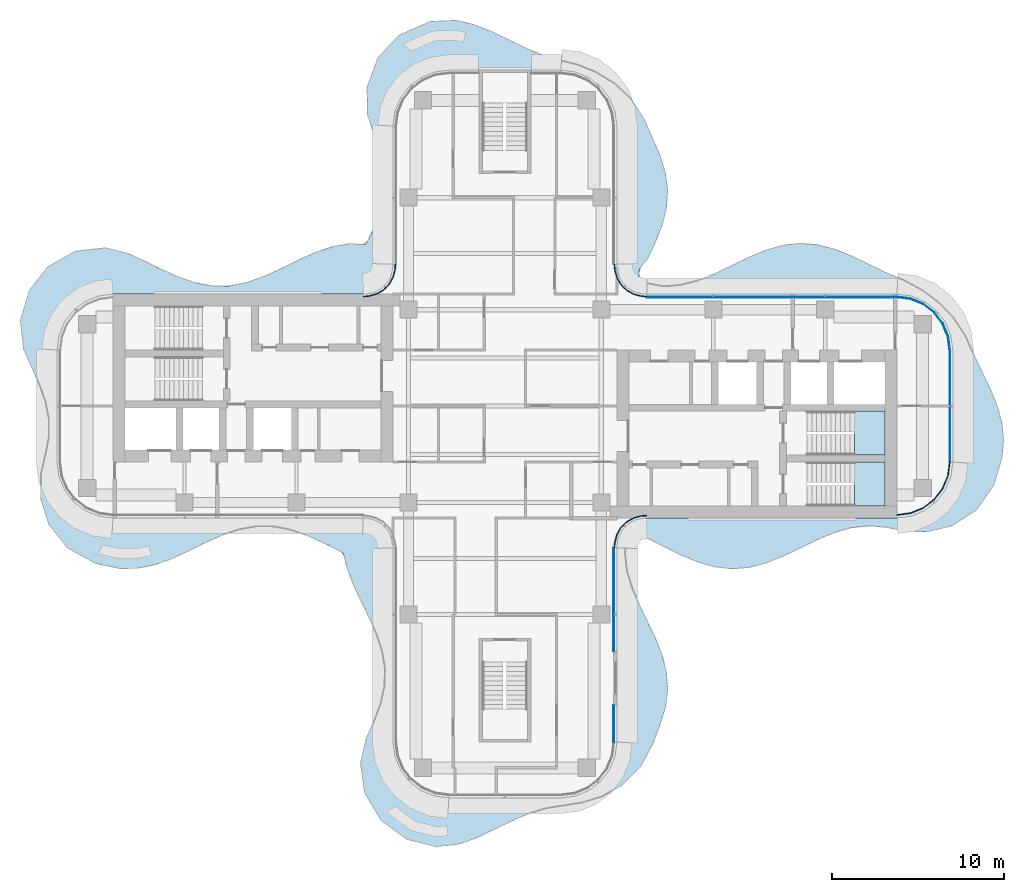
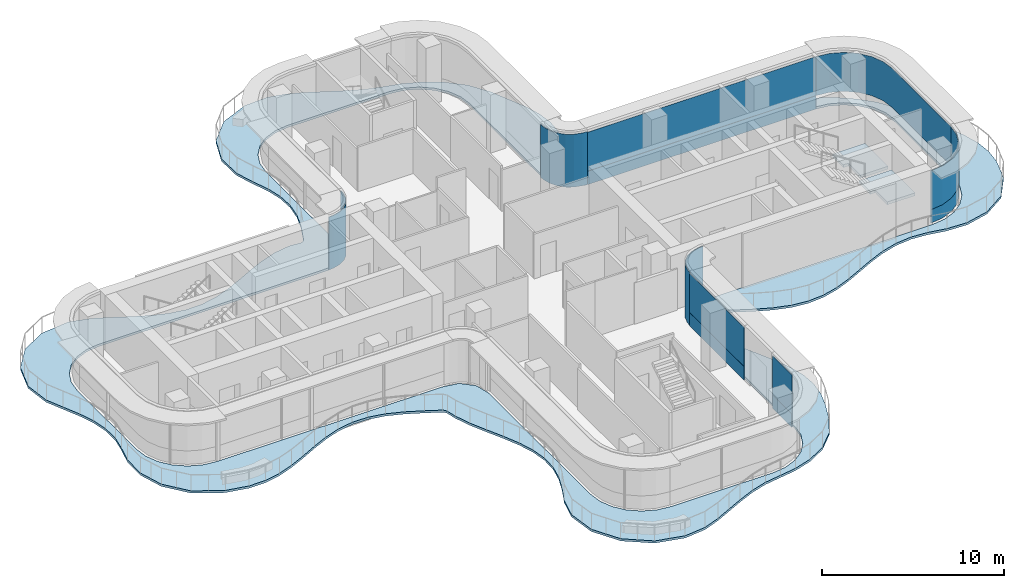
# One storey, part 9 of 16: 12 plates, 3 slabs, 10 elements without a shape of their own.
"""IFC4 building model written with IfcOpenShell, lengths in metres."""

from ifc_helpers import new_model, si_unit, direction, frame, origin, place, context, subcontext, project, spatial, polyline, outline, extrude, source, transform, mapped, material, layer, layer_set, type_object, element, aggregate, save


model = new_model("IFC4")

# Units and contexts
model_context = context("Model", 3, precision=1e-05, world=origin(), true_north=direction((0.0, 1.0)))
body_context = subcontext(model_context, "Body", "Model", "MODEL_VIEW")
ifc_project = project(units=[si_unit("LENGTHUNIT", "METRE"), si_unit("AREAUNIT", "SQUARE_METRE"), si_unit("VOLUMEUNIT", "CUBIC_METRE"), si_unit("PLANEANGLEUNIT", "RADIAN"), si_unit("MASSUNIT", "GRAM", prefix="KILO")], contexts=[model_context])

# Site, building, storey
site_placement = place(None, origin())
site = spatial("IfcSite", under=ifc_project, at=site_placement, CompositionType="ELEMENT")
building_placement = place(site_placement, origin())
building = spatial("IfcBuilding", under=site, at=building_placement, Name="Trellis Farm Tower", CompositionType="ELEMENT")
storey_placement = place(building_placement, frame((0.0, 0.0, 322.300048828125)))
storey = spatial("IfcBuildingStorey", under=building, at=storey_placement, Name="L73", CompositionType="ELEMENT", Elevation=322.300048828125)

# Slab
ifc_material_1 = material(Name="Concrete C40/50", Category="concrete")
ifc_layer_1 = layer(ifc_material_1, 0.14990234375)
ifc_layer_set_1 = layer_set([ifc_layer_1], Name="Balcony slab 150")
slab_type_1 = type_object("IfcSlabType", Name="Balcony slab 150", PredefinedType="FLOOR", material=ifc_layer_set_1)
slab_1_placement = place(storey_placement, frame((0.0, 0.0, -0.150146484375)))
element("IfcSlab", 1, at=slab_1_placement, inside=storey, type_object=slab_type_1, Name="Balcony slab", PredefinedType="FLOOR", context=body_context, shape_type="SweptSolid", body=[
    extrude(outline(polyline([(-9.537841796875, -8.432373046875), (-10.410888671875, -8.003173828125), (-10.412353515625, -8.002197265625), (-11.386962890625, -7.55224609375), (-11.393310546875, -7.5498046875), (-12.419677734375, -7.18212890625), (-12.430419921875, -7.17919921875), (-13.421875, -6.9833984375), (-13.435791015625, -6.98193359375), (-14.41796875, -6.972900390625), (-14.431884765625, -6.97412109375), (-15.408447265625, -7.149169921875), (-15.419189453125, -7.152099609375), (-16.396728515625, -7.484619140625), (-16.4033203125, -7.4873046875), (-17.3740234375, -7.92431640625), (-17.37646484375, -7.92529296875), (-18.377197265625, -8.417724609375), (-18.381103515625, -8.41943359375), (-19.37451171875, -8.87451171875), (-19.38671875, -8.87939453125), (-20.3466796875, -9.219482421875), (-20.367919921875, -9.225341796875), (-21.33544921875, -9.41650390625), (-21.36376953125, -9.419189453125), (-22.364013671875, -9.425048828125), (-22.3955078125, -9.421875), (-23.732666015625, -9.143310546875), (-23.774658203125, -9.1279296875), (-25.361328125, -8.252197265625), (-25.385986328125, -8.235107421875), (-25.414794921875, -8.210693359375), (-25.435302734375, -8.189208984375), (-26.464599609375, -6.886962890625), (-26.47998046875, -6.863525390625), (-26.49658203125, -6.83154296875), (-26.50732421875, -6.8056640625), (-26.951416015625, -5.3525390625), (-26.957763671875, -5.30615234375), (-26.933837890625, -3.910400390625), (-26.9296875, -3.878173828125), (-26.66259765625, -2.7626953125), (-26.66162109375, -2.75927734375), (-26.480712890625, -1.794921875), (-26.479248046875, -1.781005859375), (-26.481689453125, -0.734619140625), (-26.48291015625, -0.72021484375), (-26.673583984375, 0.255859375), (-26.676513671875, 0.266357421875), (-27.009765625, 1.21484375), (-27.011962890625, 1.220458984375), (-27.938232421875, 3.29736328125), (-27.9501953125, 3.34130859375), (-28.12939453125, 4.9033203125), (-28.1298828125, 4.933837890625), (-28.12646484375, 4.971923828125), (-28.12060546875, 5.001220703125), (-27.618408203125, 6.69140625), (-27.607666015625, 6.718017578125), (-27.59033203125, 6.750732421875), (-27.574951171875, 6.77490234375), (-26.53125, 8.08935546875), (-26.5107421875, 8.110595703125), (-26.4814453125, 8.135009765625), (-26.457275390625, 8.15185546875), (-24.9921875, 8.96337890625), (-24.965087890625, 8.97509765625), (-24.9287109375, 8.986572265625), (-24.89990234375, 8.992919921875), (-23.18701171875, 9.18603515625), (-23.159423828125, 9.186767578125), (-23.1240234375, 9.18408203125), (-23.0966796875, 9.1796875), (-21.88720703125, 8.86181640625), (-21.862548828125, 8.85302734375), (-20.89208984375, 8.406494140625), (-20.888671875, 8.40478515625), (-19.8916015625, 7.914306640625), (-19.88916015625, 7.913330078125), (-18.9189453125, 7.478271484375), (-18.912109375, 7.4755859375), (-17.934814453125, 7.14599609375), (-17.923828125, 7.143310546875), (-16.947265625, 6.97216796875), (-16.933349609375, 6.97119140625), (-15.950927734375, 6.984619140625), (-15.93701171875, 6.98583984375), (-14.9453125, 7.185791015625), (-14.934814453125, 7.188720703125), (-13.936279296875, 7.5478515625), (-13.93017578125, 7.55029296875), (-12.927490234375, 8.013427734375), (-12.92578125, 8.01416015625), (-11.926513671875, 8.505615234375), (-11.921142578125, 8.508056640625), (-10.945556640625, 8.941650390625), (-10.931640625, 8.947021484375), (-9.95849609375, 9.26806640625), (-9.93603515625, 9.2734375), (-8.978759765625, 9.431396484375), (-8.940185546875, 9.4326171875), (-8.250244140625, 9.36767578125), (-8.21435546875, 9.373291015625), (-8.09716796875, 9.42333984375), (-8.0693359375, 9.444091796875), (-7.981689453125, 9.5498046875), (-7.971923828125, 9.564453125), (-7.876708984375, 9.75830078125), (-7.87548828125, 9.76123046875), (-7.429931640625, 10.776123046875), (-7.427001953125, 10.783447265625), (-7.1103515625, 11.780517578125), (-7.107666015625, 11.792236328125), (-6.96142578125, 12.78125), (-6.960693359375, 12.79541015625), (-7.003173828125, 13.775634765625), (-7.0048828125, 13.788818359375), (-7.212890625, 14.718505859375), (-7.2158203125, 14.728271484375), (-7.593017578125, 15.744140625), (-7.594970703125, 15.75), (-7.9677734375, 16.892578125), (-7.97509765625, 16.936279296875), (-8.005859375, 18.489501953125), (-8.003662109375, 18.517822265625), (-7.997802734375, 18.552734375), (-7.990478515625, 18.57958984375), (-7.40869140625, 20.1572265625), (-7.3955078125, 20.184326171875), (-7.375, 20.21728515625), (-7.356689453125, 20.2412109375), (-6.14111328125, 21.532470703125), (-6.11767578125, 21.552490234375), (-6.0849609375, 21.575439453125), (-6.057861328125, 21.59033203125), (-4.37158203125, 22.307861328125), (-4.346435546875, 22.31591796875), (-4.313232421875, 22.323486328125), (-4.286376953125, 22.327392578125), (-2.8671875, 22.390869140625), (-2.826416015625, 22.386962890625), (-1.872802734375, 22.164794921875), (-1.853515625, 22.158935546875), (-0.889892578125, 21.7919921875), (-0.87841796875, 21.787109375), (1.105712890625, 20.833984375), (1.1083984375, 20.832763671875), (2.08837890625, 20.408447265625), (2.09619140625, 20.405517578125), (3.11572265625, 20.094482421875), (3.119873046875, 20.09326171875), (4.19091796875, 19.831787109375), (4.21142578125, 19.8251953125), (5.25537109375, 19.40478515625), (5.27685546875, 19.39404296875), (6.32373046875, 18.761474609375), (6.347412109375, 18.74365234375), (7.2802734375, 17.888671875), (7.304931640625, 17.859619140625), (8.05908203125, 16.691650390625), (8.0703125, 16.670654296875), (9.0107421875, 14.52783203125), (9.016845703125, 14.510986328125), (9.31103515625, 13.5400390625), (9.316162109375, 13.51611328125), (9.443115234375, 12.54931640625), (9.444091796875, 12.5205078125), (9.380615234375, 11.5205078125), (9.37646484375, 11.493896484375), (9.1357421875, 10.52490234375), (9.1298828125, 10.506103515625), (8.74658203125, 9.529052734375), (8.742431640625, 9.519287109375), (8.291748046875, 8.573486328125), (8.270263671875, 8.540283203125), (7.89453125, 8.101806640625), (7.8837890625, 8.085693359375), (7.811279296875, 7.93359375), (7.804931640625, 7.914306640625), (7.76806640625, 7.7041015625), (7.76708984375, 7.685302734375), (7.779052734375, 7.538330078125), (7.791259765625, 7.50341796875), (7.873046875, 7.380859375), (7.885498046875, 7.366455078125), (8.12451171875, 7.1533203125), (8.143310546875, 7.141357421875), (8.31103515625, 7.064697265625), (8.3330078125, 7.05859375), (9.202392578125, 6.954833984375), (9.21728515625, 6.95458984375), (10.194580078125, 7.031005859375), (10.20751953125, 7.033203125), (11.140869140625, 7.2705078125), (11.14990234375, 7.2734375), (12.171630859375, 7.677001953125), (12.1767578125, 7.67919921875), (14.14794921875, 8.630126953125), (14.155029296875, 8.63330078125), (15.13427734375, 9.044189453125), (15.15087890625, 9.050048828125), (16.150390625, 9.336181640625), (16.175537109375, 9.341064453125), (17.146728515625, 9.446533203125), (17.17529296875, 9.44677734375), (18.14208984375, 9.365478515625), (18.16796875, 9.361083984375), (19.1376953125, 9.105712890625), (19.155517578125, 9.099609375), (20.13330078125, 8.7060546875), (20.142333984375, 8.701904296875), (22.11572265625, 7.74951171875), (22.118896484375, 7.748046875), (23.21240234375, 7.28271484375), (23.22509765625, 7.2763671875), (24.260009765625, 6.71337890625), (24.279541015625, 6.700927734375), (25.177978515625, 6.014892578125), (25.193603515625, 6.001220703125), (25.985595703125, 5.200927734375), (26.003662109375, 5.1787109375), (26.693359375, 4.1455078125), (26.705078125, 4.1240234375), (27.215087890625, 2.99609375), (27.2158203125, 2.994384765625), (28.17138671875, 1.0048828125), (28.175048828125, 0.996826171875), (28.576416015625, 0.018310546875), (28.582275390625, 0.001220703125), (28.848388671875, -0.96923828125), (28.853271484375, -0.994384765625), (28.947021484375, -1.96142578125), (28.947021484375, -1.989990234375), (28.854248046875, -2.982421875), (28.84912109375, -3.01025390625), (28.4130859375, -4.520263671875), (28.392822265625, -4.5634765625), (27.430419921875, -5.97216796875), (27.41162109375, -5.994384765625), (27.385009765625, -6.020751953125), (27.36181640625, -6.03955078125), (25.98828125, -6.932861328125), (25.94189453125, -6.952880859375), (24.52685546875, -7.29638671875), (24.48486328125, -7.300537109375), (23.245849609375, -7.24609375), (23.224609375, -7.24365234375), (22.146484375, -7.039794921875), (22.13916015625, -7.038818359375), (21.169921875, -6.953857421875), (21.155517578125, -6.9541015625), (20.110595703125, -7.064697265625), (20.097900390625, -7.067138671875), (19.12158203125, -7.346923828125), (19.11328125, -7.349853515625), (18.13330078125, -7.759033203125), (18.129638671875, -7.7607421875), (16.157958984375, -8.712158203125), (16.148681640625, -8.71630859375), (15.171142578125, -9.107421875), (15.153076171875, -9.11328125), (14.183349609375, -9.364990234375), (14.15771484375, -9.369384765625), (13.19091796875, -9.446533203125), (13.161865234375, -9.446044921875), (12.162109375, -9.330810546875), (12.13720703125, -9.32568359375), (11.166259765625, -9.041748046875), (11.14990234375, -9.0361328125), (10.170654296875, -8.622802734375), (10.1630859375, -8.61962890625), (9.177978515625, -8.139892578125), (9.17529296875, -8.138427734375), (8.264892578125, -7.67138671875), (8.259765625, -7.6689453125), (7.84326171875, -7.493408203125), (7.826904296875, -7.48876953125), (7.697509765625, -7.46630859375), (7.664306640625, -7.46826171875), (7.5380859375, -7.5048828125), (7.5224609375, -7.51123046875), (7.258056640625, -7.658447265625), (7.244873046875, -7.66796875), (7.150390625, -7.75146484375), (7.131591796875, -7.777099609375), (7.081298828125, -7.892578125), (7.076416015625, -7.908203125), (6.96435546875, -8.472412109375), (6.962890625, -8.484130859375), (6.959228515625, -8.58349609375), (6.9599609375, -8.595703125), (7.083740234375, -9.551513671875), (7.086181640625, -9.563720703125), (7.3798828125, -10.540283203125), (7.3828125, -10.548095703125), (7.801025390625, -11.528564453125), (7.802490234375, -11.53173828125), (8.752197265625, -13.50341796875), (8.7568359375, -13.51416015625), (9.13720703125, -14.490478515625), (9.143310546875, -14.509521484375), (9.380126953125, -15.478515625), (9.38427734375, -15.5048828125), (9.444580078125, -16.4716796875), (9.443603515625, -16.50048828125), (9.3173828125, -17.47265625), (9.31201171875, -17.496826171875), (9.009033203125, -18.49560546875), (9.005615234375, -18.506103515625), (8.57470703125, -19.62451171875), (8.56689453125, -19.64208984375), (7.869873046875, -20.933349609375), (7.843994140625, -20.968017578125), (6.81689453125, -21.998291015625), (6.783203125, -22.02392578125), (5.65087890625, -22.64794921875), (5.62353515625, -22.659912109375), (4.521728515625, -23.006591796875), (4.5, -23.01171875), (2.403564453125, -23.341796875), (2.393310546875, -23.34423828125), (1.39794921875, -23.650634765625), (1.39013671875, -23.653564453125), (0.3740234375, -24.093505859375), (0.371337890625, -24.0947265625), (-1.60009765625, -25.04150390625), (-1.61279296875, -25.046630859375), (-2.613037109375, -25.419921875), (-2.648681640625, -25.42822265625), (-3.9365234375, -25.57421875), (-3.962890625, -25.574951171875), (-3.997314453125, -25.57275390625), (-4.023193359375, -25.56884765625), (-5.63330078125, -25.1767578125), (-5.6611328125, -25.1669921875), (-5.69580078125, -25.15087890625), (-5.721435546875, -25.1357421875), (-7.147216796875, -24.08642578125), (-7.169189453125, -24.066650390625), (-7.195068359375, -24.0380859375), (-7.212890625, -24.014404296875), (-8.12353515625, -22.492919921875), (-8.13623046875, -22.465576171875), (-8.1494140625, -22.4287109375), (-8.15625, -22.3994140625), (-8.384765625, -20.73388671875), (-8.385986328125, -20.7060546875), (-8.38427734375, -20.669677734375), (-8.380126953125, -20.641845703125), (-8.05615234375, -19.3037109375), (-8.046875, -19.27685546875), (-7.57958984375, -18.2490234375), (-7.57763671875, -18.243896484375), (-7.208984375, -17.24365234375), (-7.205810546875, -17.2333984375), (-6.993896484375, -16.240966796875), (-6.9921875, -16.227294921875), (-6.966064453125, -15.244384765625), (-6.966796875, -15.230224609375), (-7.1259765625, -14.25341796875), (-7.128662109375, -14.2421875), (-7.43603515625, -13.29833984375), (-7.438720703125, -13.29150390625), (-7.880126953125, -12.28955078125), (-7.881591796875, -12.28662109375), (-8.373291015625, -11.285400390625), (-8.375, -11.2822265625), (-8.836181640625, -10.2880859375), (-8.841064453125, -10.276611328125), (-9.1943359375, -9.312255859375), (-9.19970703125, -9.29443359375), (-9.341796875, -8.679931640625), (-9.347412109375, -8.66455078125), (-9.4033203125, -8.548095703125), (-9.42333984375, -8.5224609375), (-9.52392578125, -8.44140625), (-9.537841796875, -8.432373046875)]), holes=[polyline([(-7.391845703125, -6.72314453125), (-6.78564453125, -7.29248046875), (-6.7587890625, -7.326416015625), (-6.7314453125, -7.372802734375), (-6.71533203125, -7.4130859375), (-6.50927734375, -8.25927734375), (-6.5048828125, -8.294677734375), (-6.50048828125, -17.910400390625), (-6.50048828125, -19.5), (-6.389892578125, -20.34130859375), (-6.065185546875, -21.125244140625), (-5.548583984375, -21.798583984375), (-4.875244140625, -22.315185546875), (-4.09130859375, -22.639892578125), (-3.25, -22.75048828125), (3.25, -22.75048828125), (4.09130859375, -22.639892578125), (4.875244140625, -22.315185546875), (5.548583984375, -21.798583984375), (6.065185546875, -21.125244140625), (6.389892578125, -20.34130859375), (6.50048828125, -19.5), (6.50048828125, -14.7783203125), (6.50146484375, -8.531982421875), (6.502685546875, -8.51318359375), (6.6162109375, -7.62060546875), (6.627197265625, -7.580810546875), (6.6474609375, -7.532958984375), (6.6689453125, -7.49755859375), (7.19287109375, -6.849853515625), (7.2255859375, -6.81982421875), (7.270751953125, -6.789306640625), (7.31201171875, -6.769775390625), (8.18359375, -6.509521484375), (8.2265625, -6.50341796875), (19.6259765625, -6.50048828125), (22.75, -6.50048828125), (23.59130859375, -6.389892578125), (24.375244140625, -6.065185546875), (25.048583984375, -5.548583984375), (25.565185546875, -4.875244140625), (25.889892578125, -4.09130859375), (26.00048828125, -3.25), (26.00048828125, 3.25), (25.889892578125, 4.09130859375), (25.565185546875, 4.875244140625), (25.048583984375, 5.548583984375), (24.375244140625, 6.065185546875), (23.59130859375, 6.389892578125), (22.75, 6.50048828125), (19.626220703125, 6.50048828125), (8.2265625, 6.50341796875), (8.18359375, 6.509521484375), (7.31201171875, 6.769775390625), (7.270751953125, 6.789306640625), (7.2255859375, 6.81982421875), (7.19287109375, 6.849853515625), (6.6689453125, 7.49755859375), (6.6474609375, 7.532958984375), (6.627197265625, 7.580810546875), (6.6162109375, 7.620849609375), (6.501220703125, 8.535400390625), (6.50048828125, 8.544677734375), (6.50048828125, 16.25), (6.389892578125, 17.09130859375), (6.065185546875, 17.875244140625), (5.548583984375, 18.548583984375), (4.875244140625, 19.065185546875), (4.09130859375, 19.389892578125), (3.25, 19.50048828125), (-3.25, 19.50048828125), (-4.09130859375, 19.389892578125), (-4.875244140625, 19.065185546875), (-5.548583984375, 18.548583984375), (-6.065185546875, 17.875244140625), (-6.389892578125, 17.09130859375), (-6.50048828125, 16.25), (-6.50048828125, 8.7666015625), (-6.56005859375, 7.838134765625), (-6.56640625, 7.80419921875), (-6.5791015625, 7.76171875), (-6.593017578125, 7.72998046875), (-7.0166015625, 7.00244140625), (-7.045166015625, 6.967041015625), (-7.0869140625, 6.928955078125), (-7.124755859375, 6.90380859375), (-7.896484375, 6.545654296875), (-7.92578125, 6.53564453125), (-7.96435546875, 6.526611328125), (-7.994873046875, 6.522705078125), (-8.91552734375, 6.50048828125), (-22.75, 6.50048828125), (-23.59130859375, 6.389892578125), (-24.375244140625, 6.065185546875), (-25.048583984375, 5.548583984375), (-25.565185546875, 4.875244140625), (-25.889892578125, 4.09130859375), (-26.00048828125, 3.25), (-26.00048828125, -3.25), (-25.889892578125, -4.09130859375), (-25.565185546875, -4.875244140625), (-25.048583984375, -5.548583984375), (-24.375244140625, -6.065185546875), (-23.59130859375, -6.389892578125), (-22.75, -6.50048828125), (-8.43701171875, -6.50048828125), (-8.41796875, -6.502197265625), (-7.5166015625, -6.66064453125), (-7.47509765625, -6.67431640625), (-7.42724609375, -6.698486328125), (-7.391845703125, -6.72314453125)])]), origin(), (0.0, 0.0, 1.0), 0.150146484375),
])

# Stair, slab
ifc_material_2 = material(Name="Concrete C50/60", Category="concrete")
stair_type = type_object("IfcStairType", Name="CORE EXIT STAIR 22 RISERS 177 MM", PredefinedType="HALF_TURN_STAIR", material=ifc_material_2)
placement_1 = place(storey_placement, origin())
stair_1 = element("IfcStair", 2, at=placement_1, inside=storey, type_object=stair_type, Name="Exit stair E1", PredefinedType="HALF_TURN_STAIR")
ifc_layer_2 = layer(ifc_material_2, 0.18994140625)
ifc_layer_set_2 = layer_set([ifc_layer_2], Name="CORE STAIR LANDING 190 CONCRETE C50/60")
slab_type_2 = type_object("IfcSlabType", Name="CORE STAIR LANDING 190 CONCRETE C50/60", PredefinedType="LANDING", material=ifc_layer_set_2)
shared_shape_1 = source(origin(), body_context, "Body", "SweptSolid", [
    extrude(outline(polyline([(20.2900390625, -5.800048828125), (20.2900390625, -4.60009765625), (20.300048828125, -4.60009765625), (20.300048828125, -4.449951171875), (19.971923828125, -4.449951171875), (19.971923828125, -3.25), (20.300048828125, -3.25), (22.050048828125, -3.25), (22.050048828125, -5.800048828125), (20.300048828125, -5.800048828125), (20.2900390625, -5.800048828125)])), origin(), (0.0, 0.0, 1.0), 0.18994140625),
])
placement_2 = place(storey_placement, frame((0.0, 0.0, 1.760009765625)))
slab_2 = element("IfcSlab", 3, at=placement_2, type_object=slab_type_2, Name="STE1 landing 1", PredefinedType="LANDING", context=body_context, shape_type="MappedRepresentation", body=[
    mapped(shared_shape_1, transform((0.0, 0.0, 0.0))),
])
aggregate(stair_1, [slab_2])

stair_2 = element("IfcStair", 4, at=placement_1, inside=storey, type_object=stair_type, Name="Exit stair E2", PredefinedType="HALF_TURN_STAIR")
shared_shape_2 = source(origin(), body_context, "Body", "SweptSolid", [
    extrude(outline(polyline([(20.2900390625, -2.85009765625), (20.2900390625, -1.64990234375), (20.300048828125, -1.64990234375), (20.300048828125, -1.5), (19.971923828125, -1.5), (19.971923828125, -0.300048828125), (20.300048828125, -0.300048828125), (22.050048828125, -0.300048828125), (22.050048828125, -2.85009765625), (20.300048828125, -2.85009765625), (20.2900390625, -2.85009765625)])), origin(), (0.0, 0.0, 1.0), 0.18994140625),
])
slab_3 = element("IfcSlab", 5, at=placement_2, type_object=slab_type_2, Name="STE2 landing 1", PredefinedType="LANDING", context=body_context, shape_type="MappedRepresentation", body=[
    mapped(shared_shape_2, transform((0.0, 0.0, 0.0))),
])
aggregate(stair_2, [slab_3])

# Curtain wall, plate
ifc_material_3 = material(Name="Aluminium and glass curtain wall", Category="aluminium")
ifc_layer_3 = layer(ifc_material_3, 0.166015625)
ifc_layer_set_3 = layer_set([ifc_layer_3], Name="WINTER GARDEN CURTAIN WALL CW3")
curtain_wall_type_1 = type_object("IfcCurtainWallType", Name="WINTER GARDEN CURTAIN WALL CW3", PredefinedType="NOTDEFINED", material=ifc_layer_set_3)
curtain_wall_1 = element("IfcCurtainWall", 6, at=placement_1, inside=storey, type_object=curtain_wall_type_1, Name="CW3 002", PredefinedType="NOTDEFINED")
ifc_material_4 = material(Name="Clear insulated glass", Category="glass")
ifc_layer_4 = layer(ifc_material_4, 0.0458984375)
ifc_layer_set_4 = layer_set([ifc_layer_4], Name="CW3 GLASS PANEL 46")
plate_type_1 = type_object("IfcPlateType", Name="CW3 GLASS PANEL 46", PredefinedType="CURTAIN_PANEL", material=ifc_layer_set_4)
shared_shape_3 = source(origin(), body_context, "Body", "SweptSolid", [
    extrude(outline(polyline([(6.3798828125, -8.2275390625), (6.394287109375, -8.0078125), (6.40966796875, -7.89208984375), (6.52490234375, -7.462158203125), (6.7509765625, -7.070556640625), (7.070556640625, -6.7509765625), (7.462158203125, -6.52490234375), (7.89208984375, -6.40966796875), (8.0078125, -6.394287109375), (8.2275390625, -6.3798828125), (8.22607421875, -6.333984375), (8.003173828125, -6.3486328125), (7.883056640625, -6.364501953125), (7.4443359375, -6.48193359375), (7.04248046875, -6.714111328125), (6.714111328125, -7.04248046875), (6.48193359375, -7.4443359375), (6.364501953125, -7.883056640625), (6.3486328125, -8.003173828125), (6.333984375, -8.22607421875), (6.3798828125, -8.2275390625)])), origin(), (0.0, 0.0, 1.0), 3.550048828125),
])
plate_1 = element("IfcPlate", 7, at=placement_1, type_object=plate_type_1, Name="PL3 002", PredefinedType="CURTAIN_PANEL", context=body_context, shape_type="MappedRepresentation", body=[
    mapped(shared_shape_3, transform((0.0, 0.0, 0.0))),
])
aggregate(curtain_wall_1, [plate_1])

curtain_wall_2 = element("IfcCurtainWall", 8, at=placement_1, inside=storey, type_object=curtain_wall_type_1, Name="CW3 003", PredefinedType="NOTDEFINED")
shared_shape_4 = source(origin(), body_context, "Body", "SweptSolid", [
    extrude(outline(polyline([(8.2275390625, 6.3798828125), (8.0078125, 6.394287109375), (7.89208984375, 6.40966796875), (7.462158203125, 6.52490234375), (7.070556640625, 6.7509765625), (6.7509765625, 7.070556640625), (6.52490234375, 7.462158203125), (6.40966796875, 7.89208984375), (6.394287109375, 8.0078125), (6.3798828125, 8.2275390625), (6.333984375, 8.22607421875), (6.3486328125, 8.003173828125), (6.364501953125, 7.883056640625), (6.48193359375, 7.4443359375), (6.714111328125, 7.04248046875), (7.04248046875, 6.714111328125), (7.4443359375, 6.48193359375), (7.883056640625, 6.364501953125), (8.003173828125, 6.3486328125), (8.22607421875, 6.333984375), (8.2275390625, 6.3798828125)])), origin(), (0.0, 0.0, 1.0), 3.550048828125),
])
plate_2 = element("IfcPlate", 9, at=placement_1, type_object=plate_type_1, Name="PL3 003", PredefinedType="CURTAIN_PANEL", context=body_context, shape_type="MappedRepresentation", body=[
    mapped(shared_shape_4, transform((0.0, 0.0, 0.0))),
])
aggregate(curtain_wall_2, [plate_2])

curtain_wall_3 = element("IfcCurtainWall", 10, at=placement_1, inside=storey, type_object=curtain_wall_type_1, Name="CW3 004", PredefinedType="NOTDEFINED")
shared_shape_5 = source(origin(), body_context, "Body", "SweptSolid", [
    extrude(outline(polyline([(-6.3798828125, 8.2275390625), (-6.394287109375, 8.0078125), (-6.40966796875, 7.89208984375), (-6.52490234375, 7.462158203125), (-6.7509765625, 7.070556640625), (-7.070556640625, 6.7509765625), (-7.462158203125, 6.52490234375), (-7.89208984375, 6.40966796875), (-8.0078125, 6.394287109375), (-8.2275390625, 6.3798828125), (-8.22607421875, 6.333984375), (-8.003173828125, 6.3486328125), (-7.883056640625, 6.364501953125), (-7.4443359375, 6.48193359375), (-7.04248046875, 6.714111328125), (-6.714111328125, 7.04248046875), (-6.48193359375, 7.4443359375), (-6.364501953125, 7.883056640625), (-6.3486328125, 8.003173828125), (-6.333984375, 8.22607421875), (-6.3798828125, 8.2275390625)])), origin(), (0.0, 0.0, 1.0), 3.550048828125),
])
plate_3 = element("IfcPlate", 11, at=placement_1, type_object=plate_type_1, Name="PL3 004", PredefinedType="CURTAIN_PANEL", context=body_context, shape_type="MappedRepresentation", body=[
    mapped(shared_shape_5, transform((0.0, 0.0, 0.0))),
])
aggregate(curtain_wall_3, [plate_3])

# Curtain wall, plates
ifc_layer_5 = layer(ifc_material_3, 0.18994140625)
ifc_layer_set_5 = layer_set([ifc_layer_5], Name="RIBBON CURTAIN WALL CW1")
curtain_wall_type_2 = type_object("IfcCurtainWallType", Name="RIBBON CURTAIN WALL CW1", PredefinedType="NOTDEFINED", material=ifc_layer_set_5)
curtain_wall_4 = element("IfcCurtainWall", 12, at=placement_1, inside=storey, type_object=curtain_wall_type_2, Name="CW1 006", PredefinedType="NOTDEFINED")
ifc_layer_6 = layer(ifc_material_4, 0.0400390625)
ifc_layer_set_6 = layer_set([ifc_layer_6], Name="CW1 GLASS PANEL 40")
plate_type_2 = type_object("IfcPlateType", Name="CW1 GLASS PANEL 40", PredefinedType="CURTAIN_PANEL", material=ifc_layer_set_6)
shared_shape_6 = source(origin(), body_context, "Body", "SweptSolid", [
    extrude(outline(polyline([(22.740234375, -6.35009765625), (23.552001953125, -6.2431640625), (24.29931640625, -5.93359375), (24.941162109375, -5.441162109375), (25.43359375, -4.79931640625), (25.7431640625, -4.052001953125), (25.85009765625, -3.240234375), (25.81005859375, -3.237548828125), (25.7041015625, -4.04150390625), (25.398681640625, -4.779296875), (24.91259765625, -5.41259765625), (24.279296875, -5.898681640625), (23.54150390625, -6.2041015625), (22.737548828125, -6.31005859375), (22.740234375, -6.35009765625)])), origin(), (0.0, 0.0, 1.0), 2.6201171875),
])
placement_3 = place(storey_placement, frame((0.0, 0.0, 0.89990234375)))
plate_4 = element("IfcPlate", 13, at=placement_3, type_object=plate_type_2, Name="PL1 006", PredefinedType="CURTAIN_PANEL", context=body_context, shape_type="MappedRepresentation", body=[
    mapped(shared_shape_6, transform((0.0, 0.0, 0.0))),
])
ifc_material_5 = material(Name="Sandstone faced insulated panel", Category="masonry")
ifc_layer_7 = layer(ifc_material_5, 0.050048828125)
ifc_layer_set_7 = layer_set([ifc_layer_7], Name="CW1 STONE SPANDREL PANEL 50")
plate_type_3 = type_object("IfcPlateType", Name="CW1 STONE SPANDREL PANEL 50", PredefinedType="CURTAIN_PANEL", material=ifc_layer_set_7)
shared_shape_7 = source(origin(), body_context, "Body", "SweptSolid", [
    extrude(outline(polyline([(22.740234375, -6.35009765625), (23.552001953125, -6.2431640625), (24.29931640625, -5.93359375), (24.941162109375, -5.441162109375), (25.43359375, -4.79931640625), (25.7431640625, -4.052001953125), (25.85009765625, -3.240234375), (25.800048828125, -3.23681640625), (25.6943359375, -4.0390625), (25.389892578125, -4.774169921875), (24.905517578125, -5.405517578125), (24.274169921875, -5.889892578125), (23.5390625, -6.1943359375), (22.73681640625, -6.300048828125), (22.740234375, -6.35009765625)])), origin(), (0.0, 0.0, 1.0), 0.89990234375),
])
plate_5 = element("IfcPlate", 14, at=placement_1, type_object=plate_type_3, Name="PS1 006", PredefinedType="CURTAIN_PANEL", context=body_context, shape_type="MappedRepresentation", body=[
    mapped(shared_shape_7, transform((0.0, 0.0, 0.0))),
])
aggregate(curtain_wall_4, [plate_4, plate_5])

# Curtain wall, plate
curtain_wall_5 = element("IfcCurtainWall", 15, at=placement_1, inside=storey, type_object=curtain_wall_type_2, Name="CW1 007", PredefinedType="NOTDEFINED")
shared_shape_8 = source(origin(), body_context, "Body", "SweptSolid", [
    extrude(outline(polyline([(25.85009765625, -3.240234375), (25.85009765625, 3.240234375), (25.7431640625, 4.052001953125), (25.43359375, 4.79931640625), (24.941162109375, 5.441162109375), (24.29931640625, 5.93359375), (23.552001953125, 6.2431640625), (22.740234375, 6.35009765625), (22.737548828125, 6.31005859375), (23.54150390625, 6.2041015625), (24.279296875, 5.898681640625), (24.91259765625, 5.41259765625), (25.398681640625, 4.779296875), (25.7041015625, 4.04150390625), (25.81005859375, 3.237548828125), (25.81005859375, -3.237548828125), (25.85009765625, -3.240234375)])), origin(), (0.0, 0.0, 1.0), 2.6201171875),
])
plate_6 = element("IfcPlate", 16, at=placement_3, type_object=plate_type_2, Name="PL1 007", PredefinedType="CURTAIN_PANEL", context=body_context, shape_type="MappedRepresentation", body=[
    mapped(shared_shape_8, transform((0.0, 0.0, 0.0))),
])
aggregate(curtain_wall_5, [plate_6])

# Curtain wall, plates
curtain_wall_6 = element("IfcCurtainWall", 17, at=placement_1, inside=storey, type_object=curtain_wall_type_2, Name="CW1 008", PredefinedType="NOTDEFINED")
shared_shape_9 = source(origin(), body_context, "Body", "SweptSolid", [
    extrude(outline(polyline([(22.740234375, 6.35009765625), (8.2265625, 6.35009765625), (8.22509765625, 6.31005859375), (22.737548828125, 6.31005859375), (22.740234375, 6.35009765625)])), origin(), (0.0, 0.0, 1.0), 2.6201171875),
])
plate_7 = element("IfcPlate", 18, at=placement_3, type_object=plate_type_2, Name="PL1 008", PredefinedType="CURTAIN_PANEL", context=body_context, shape_type="MappedRepresentation", body=[
    mapped(shared_shape_9, transform((0.0, 0.0, 0.0))),
])
shared_shape_10 = source(origin(), body_context, "Body", "SweptSolid", [
    extrude(outline(polyline([(22.740234375, 6.35009765625), (8.2265625, 6.35009765625), (8.224853515625, 6.300048828125), (22.73681640625, 6.300048828125), (22.740234375, 6.35009765625)])), origin(), (0.0, 0.0, 1.0), 0.89990234375),
])
plate_8 = element("IfcPlate", 19, at=placement_1, type_object=plate_type_3, Name="PS1 008", PredefinedType="CURTAIN_PANEL", context=body_context, shape_type="MappedRepresentation", body=[
    mapped(shared_shape_10, transform((0.0, 0.0, 0.0))),
])
aggregate(curtain_wall_6, [plate_7, plate_8])

curtain_wall_7 = element("IfcCurtainWall", 20, at=placement_1, inside=storey, type_object=curtain_wall_type_2, Name="CW1 004", PredefinedType="NOTDEFINED")
shared_shape_11 = source(origin(), body_context, "Body", "SweptSolid", [
    extrude(outline(polyline([(6.35009765625, -19.490234375), (6.35009765625, -17.360107421875), (6.31005859375, -17.360107421875), (6.31005859375, -19.487548828125), (6.35009765625, -19.490234375)])), origin(), (0.0, 0.0, 1.0), 2.6201171875),
])
plate_9 = element("IfcPlate", 21, at=placement_3, type_object=plate_type_2, Name="PL1 004", PredefinedType="CURTAIN_PANEL", context=body_context, shape_type="MappedRepresentation", body=[
    mapped(shared_shape_11, transform((0.0, 0.0, 0.0))),
])
shared_shape_12 = source(origin(), body_context, "Body", "SweptSolid", [
    extrude(outline(polyline([(6.35009765625, -19.490234375), (6.35009765625, -17.360107421875), (6.300048828125, -17.360107421875), (6.300048828125, -19.48681640625), (6.35009765625, -19.490234375)])), origin(), (0.0, 0.0, 1.0), 0.89990234375),
])
plate_10 = element("IfcPlate", 22, at=placement_1, type_object=plate_type_3, Name="PS1 004", PredefinedType="CURTAIN_PANEL", context=body_context, shape_type="MappedRepresentation", body=[
    mapped(shared_shape_12, transform((0.0, 0.0, 0.0))),
])
aggregate(curtain_wall_7, [plate_9, plate_10])

curtain_wall_8 = element("IfcCurtainWall", 23, at=placement_1, inside=storey, type_object=curtain_wall_type_2, Name="CW1 005", PredefinedType="NOTDEFINED")
shared_shape_13 = source(origin(), body_context, "Body", "SweptSolid", [
    extrude(outline(polyline([(6.35009765625, -14.239990234375), (6.35009765625, -8.2265625), (6.31005859375, -8.22509765625), (6.31005859375, -14.239990234375), (6.35009765625, -14.239990234375)])), origin(), (0.0, 0.0, 1.0), 2.6201171875),
])
plate_11 = element("IfcPlate", 24, at=placement_3, type_object=plate_type_2, Name="PL1 005", PredefinedType="CURTAIN_PANEL", context=body_context, shape_type="MappedRepresentation", body=[
    mapped(shared_shape_13, transform((0.0, 0.0, 0.0))),
])
shared_shape_14 = source(origin(), body_context, "Body", "SweptSolid", [
    extrude(outline(polyline([(6.35009765625, -14.239990234375), (6.35009765625, -8.2265625), (6.300048828125, -8.224853515625), (6.300048828125, -14.239990234375), (6.35009765625, -14.239990234375)])), origin(), (0.0, 0.0, 1.0), 0.89990234375),
])
plate_12 = element("IfcPlate", 25, at=placement_1, type_object=plate_type_3, Name="PS1 005", PredefinedType="CURTAIN_PANEL", context=body_context, shape_type="MappedRepresentation", body=[
    mapped(shared_shape_14, transform((0.0, 0.0, 0.0))),
])
aggregate(curtain_wall_8, [plate_11, plate_12])

save(model, "model.ifc")
